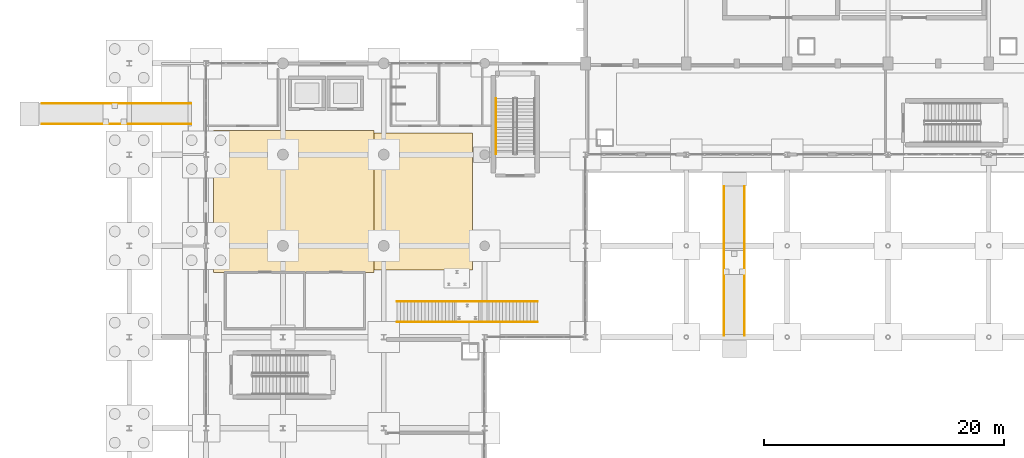
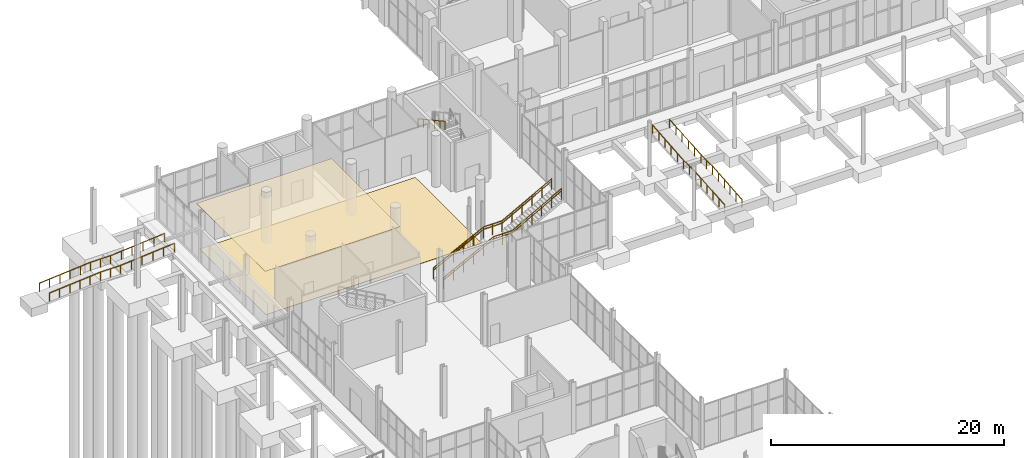
# One storey, part 85 of 95: 9 railings, 2 coverings.
"""IFC4 building model written with IfcOpenShell, lengths in metres."""

import ifcopenshell
import ifcopenshell.guid

model = None  # the IFC model being written
_history = None  # IfcOwnerHistory: only IFC2X3 demands one
_inside = {}  # id of a spatial element -> (the spatial element, [elements in it])
_under = {}  # id of a project, library or spatial element -> (it, [spatial elements below it])
_declared = {}  # id of a project -> (the project, [libraries it declares])
_typed = {}  # id of a type object -> (the type object, [elements of that type])
_made_of = {}  # id of a material, layer set ... -> (it, [elements and type objects made of it])


def new_model(schema):
    """Start an empty IFC model of exactly this schema.

    Asked for "IFC4X3", IfcOpenShell would pick the latest addendum, in which some entities
    have other attributes; the version numbers below select the first issue.
    IFC2X3 requires an IfcOwnerHistory on every rooted entity: one is made here for all.
    """
    global model, _history
    if schema == "IFC4X3":
        model = ifcopenshell.file(schema_version=(4, 3, 0, 0))
    else:
        model = ifcopenshell.file(schema=schema)
    _inside.clear()
    _under.clear()
    _declared.clear()
    _typed.clear()
    _made_of.clear()
    _history = None
    if model.schema == "IFC2X3":
        org = make("IfcOrganization", Name="unknown")
        user = make(
            "IfcPersonAndOrganization",
            ThePerson=make("IfcPerson", FamilyName="unknown"),
            TheOrganization=org,
        )
        app = make(
            "IfcApplication",
            ApplicationDeveloper=org,
            Version="unknown",
            ApplicationFullName="unknown",
            ApplicationIdentifier="unknown",
        )
        _history = make(
            "IfcOwnerHistory",
            OwningUser=user,
            OwningApplication=app,
            ChangeAction="ADDED",
            CreationDate=0,
        )
    return model


def make(cls, **values):
    """One entity of the class cls with the attributes given. An attribute that is None is left unset."""
    return model.create_entity(
        cls, **{name: value for name, value in values.items() if value is not None}
    )


def rooted(cls, **values):
    """An entity with a GlobalId (a new one), such as an element, a storey or a relation."""
    return make(cls, GlobalId=ifcopenshell.guid.new(), OwnerHistory=_history, **values)


def si_unit(unit_type, name, prefix=None):
    """IfcSIUnit, for example si_unit("LENGTHUNIT", "METRE", prefix="MILLI")."""
    return make("IfcSIUnit", UnitType=unit_type, Prefix=prefix, Name=name)


def assignment(units):
    """IfcUnitAssignment: the units of a project."""
    return None if units is None else make("IfcUnitAssignment", Units=units)


def point(xyz):
    """IfcCartesianPoint."""
    return None if xyz is None else make("IfcCartesianPoint", Coordinates=xyz)


def direction(xyz):
    """IfcDirection."""
    return None if xyz is None else make("IfcDirection", DirectionRatios=xyz)


def frame(location, z_axis=None, x_axis=None):
    """IfcAxis2Placement3D, a coordinate frame: its origin and axes. An axis left out is left unset."""
    return make(
        "IfcAxis2Placement3D",
        Location=point(location),
        Axis=direction(z_axis),
        RefDirection=direction(x_axis),
    )


def frame_2d(location, x_axis=None):
    """IfcAxis2Placement2D, a coordinate frame in the plane: its origin and x axis."""
    return make(
        "IfcAxis2Placement2D", Location=point(location), RefDirection=direction(x_axis)
    )


def origin():
    """The frame at (0, 0, 0) with its axes left unset."""
    return frame((0.0, 0.0, 0.0))


def origin_2d():
    """The frame at (0, 0) in the plane with its x axis left unset."""
    return frame_2d((0.0, 0.0))


def place(relative_to, where):
    """IfcLocalPlacement: puts the frame where relative to a parent placement (None: the world)."""
    return make(
        "IfcLocalPlacement", PlacementRelTo=relative_to, RelativePlacement=where
    )


def context(
    kind, dimensions, precision=None, world=None, true_north=None, identifier=None
):
    """IfcGeometricRepresentationContext, for example the 3D "Model" context."""
    return make(
        "IfcGeometricRepresentationContext",
        ContextIdentifier=identifier,
        ContextType=kind,
        CoordinateSpaceDimension=dimensions,
        Precision=precision,
        WorldCoordinateSystem=world,
        TrueNorth=true_north,
    )


def subcontext(parent, identifier, kind, view, scale=None):
    """IfcGeometricRepresentationSubContext, for example "Body" below "Model"."""
    return make(
        "IfcGeometricRepresentationSubContext",
        ContextIdentifier=identifier,
        ContextType=kind,
        ParentContext=parent,
        TargetScale=scale,
        TargetView=view,
    )


def project(units=None, contexts=None):
    """IfcProject with its units and contexts."""
    return rooted(
        "IfcProject",
        Name="project",
        RepresentationContexts=contexts,
        UnitsInContext=assignment(units),
    )


def spatial(cls, under=None, at=None, **own):
    """A site, building, storey or space (cls), placed at a placement, below another one or the project."""
    s = rooted(cls, ObjectPlacement=at, **own)
    if under is not None:
        _under.setdefault(under.id(), (under, []))[1].append(s)
    return s


def polyline(points):
    """IfcPolyline through the points."""
    return make("IfcPolyline", Points=[point(p) for p in points])


def profile(cls, at=None, kind="AREA", **sizes):
    """A parametric profile (cls). Its sizes go by their IFC names, for example OverallWidth=200.0."""
    return make(cls, ProfileType=kind, Position=at, **sizes)


def circle(**sizes):
    """IfcCircleProfileDef."""
    return profile("IfcCircleProfileDef", **sizes)


def outline(outer, holes=None, kind="AREA"):
    """IfcArbitraryClosedProfileDef: a profile drawn as a closed curve; with holes, ...WithVoids."""
    if holes is None:
        return make("IfcArbitraryClosedProfileDef", ProfileType=kind, OuterCurve=outer)
    return make(
        "IfcArbitraryProfileDefWithVoids",
        ProfileType=kind,
        OuterCurve=outer,
        InnerCurves=holes,
    )


def extrude(swept, where, along, depth):
    """IfcExtrudedAreaSolid: the profile swept, set in the frame where, extruded along a direction by depth."""
    return make(
        "IfcExtrudedAreaSolid",
        SweptArea=swept,
        Position=where,
        ExtrudedDirection=direction(along),
        Depth=depth,
    )


def shape(context_of_items, identifier, shape_type, items):
    """IfcShapeRepresentation: the items that make up one representation, for example the "Body"."""
    return make(
        "IfcShapeRepresentation",
        ContextOfItems=context_of_items,
        RepresentationIdentifier=identifier,
        RepresentationType=shape_type,
        Items=items,
    )


def material(Name=None, Category=None):
    """IfcMaterial."""
    return make("IfcMaterial", Name=Name, Category=Category)


def layer(
    of_material, thickness, ventilated=None, Name=None, Category=None, Priority=None
):
    """IfcMaterialLayer: one layer of a wall or slab, of a material (None: an air gap)."""
    return make(
        "IfcMaterialLayer",
        Material=of_material,
        LayerThickness=thickness,
        IsVentilated=ventilated,
        Name=Name,
        Category=Category,
        Priority=Priority,
    )


def layer_set(layers, Name=None):
    """IfcMaterialLayerSet."""
    return make("IfcMaterialLayerSet", MaterialLayers=layers, LayerSetName=Name)


def made_of(thing, what):
    """Note that an element or type object is made of a material, layer set ...; save() writes the relation."""
    if what is not None:
        _made_of.setdefault(what.id(), (what, []))[1].append(thing)
    return thing


def type_object(cls, material=None, **own):
    """A type object (cls), such as IfcWallType, which elements share."""
    return made_of(rooted(cls, **own), material)


def element(
    cls,
    number,
    at=None,
    inside=None,
    cuts=None,
    type_object=None,
    material=None,
    context=None,
    identifier="Body",
    shape_type=None,
    held_by="IfcProductDefinitionShape",
    body=None,
    shapes=None,
    **own,
):
    """One element of the class cls, such as IfcWall. Its Tag is "e" and its number.

    at: its placement. inside: the storey or other place that contains it. cuts: it is an
    opening in that element (IfcRelVoidsElement). A single representation is given by context,
    identifier, shape_type and body (its items); several are given by shapes. held_by: the class
    of the entity that holds the representations. save() writes the other relations.
    """
    e = rooted(cls, Tag="e%d" % number, ObjectPlacement=at, **own)
    if body is not None:
        shapes = [shape(context, identifier, shape_type, body)]
    if shapes is not None:
        e.Representation = make(held_by, Representations=shapes)
    if inside is not None:
        _inside.setdefault(inside.id(), (inside, []))[1].append(e)
    if cuts is not None:
        rooted(
            "IfcRelVoidsElement", RelatingBuildingElement=cuts, RelatedOpeningElement=e
        )
    if type_object is not None:
        _typed.setdefault(type_object.id(), (type_object, []))[1].append(e)
    return made_of(e, material)


def aggregate(whole, parts):
    """IfcRelAggregates: a whole, such as a stair, and the parts it consists of."""
    return rooted("IfcRelAggregates", RelatingObject=whole, RelatedObjects=parts)


def save(model, path):
    """Write the relations noted so far, then the file.

    IfcRelAggregates (storeys below a building ...), IfcRelContainedInSpatialStructure (elements
    in a storey), IfcRelDefinesByType, IfcRelAssociatesMaterial and IfcRelDeclares: one each for
    every whole, place, type object, material and project.
    """
    for whole, parts in _under.values():
        aggregate(whole, parts)
    for where, things in _inside.values():
        rooted(
            "IfcRelContainedInSpatialStructure",
            RelatedElements=things,
            RelatingStructure=where,
        )
    for kind, things in _typed.values():
        rooted("IfcRelDefinesByType", RelatedObjects=things, RelatingType=kind)
    for what, things in _made_of.values():
        rooted("IfcRelAssociatesMaterial", RelatedObjects=things, RelatingMaterial=what)
    for by, libraries in _declared.values():
        rooted("IfcRelDeclares", RelatingContext=by, RelatedDefinitions=libraries)
    model.write(path)


model = new_model("IFC4")

# Units and contexts
model_context = context("Model", 3, precision=1e-05, world=origin(), true_north=direction((0.0, 1.0)))
body_context = subcontext(model_context, "Body", "Model", "MODEL_VIEW")
ifc_project = project(units=[si_unit("LENGTHUNIT", "METRE"), si_unit("AREAUNIT", "SQUARE_METRE"), si_unit("VOLUMEUNIT", "CUBIC_METRE"), si_unit("PLANEANGLEUNIT", "RADIAN"), si_unit("MASSUNIT", "GRAM", prefix="KILO")], contexts=[model_context])

# Site, building, storey
site_placement = place(None, origin())
site = spatial("IfcSite", under=ifc_project, at=site_placement, CompositionType="ELEMENT")
building_placement = place(site_placement, origin())
building = spatial("IfcBuilding", under=site, at=building_placement, Name="Shengluoqiao Park Theatre", CompositionType="ELEMENT")
storey_placement = place(building_placement, origin())
storey = spatial("IfcBuildingStorey", under=building, at=storey_placement, Name="L00", CompositionType="ELEMENT", Elevation=0.0)

# Railings
ifc_material_1 = material(Name="Stainless steel 316", Category="steel")
railing_type_1 = type_object("IfcRailingType", Name="ENV-RL-HR090", PredefinedType="HANDRAIL", material=ifc_material_1)
railing_1_placement = place(storey_placement, frame((-0.85009765625, 70.949951171875, -0.8701171875)))
element("IfcRailing", 1, at=railing_1_placement, inside=storey, type_object=railing_type_1, Name="RMP-01 Accessible Handrail", PredefinedType="HANDRAIL", context=body_context, shape_type="SweptSolid", body=[
    extrude(circle(Radius=0.02392578125, at=origin_2d()), frame((0.0, 0.0, 0.8759765625), z_axis=(0.99655671415, 0.0, 0.082913904039), x_axis=(0.0, 1.0, 0.0)), (0.0, 0.0, 1.0), 5.0673828125),
    extrude(circle(Radius=0.02392578125, at=origin_2d()), frame((5.050048828125, 0.0, 1.2958984375), z_axis=(1.0, 0.0, 0.0), x_axis=(0.0, 1.0, 0.0)), (0.0, 0.0, 1.0), 2.0),
    extrude(circle(Radius=0.02392578125, at=origin_2d()), frame((7.050048828125, 0.0, 1.2958984375), z_axis=(0.996482120558, 0.0, 0.083805628739), x_axis=(0.0, 1.0, 0.0)), (0.0, 0.0, 1.0), 5.368896484375),
    extrude(circle(Radius=0.02099609375, at=origin_2d()), origin(), (0.0, 0.0, 1.0), 0.851806640625),
    extrude(circle(Radius=0.02099609375, at=origin_2d()), frame((1.010009765625, 0.0, 0.083984375)), (0.0, 0.0, 1.0), 0.851806640625),
    extrude(circle(Radius=0.02099609375, at=origin_2d()), frame((2.02001953125, 0.0, 0.16796875)), (0.0, 0.0, 1.0), 0.851806640625),
    extrude(circle(Radius=0.02099609375, at=origin_2d()), frame((3.030029296875, 0.0, 0.252197265625)), (0.0, 0.0, 1.0), 0.851806640625),
    extrude(circle(Radius=0.02099609375, at=origin_2d()), frame((4.0400390625, 0.0, 0.336181640625)), (0.0, 0.0, 1.0), 0.851806640625),
    extrude(circle(Radius=0.02099609375, at=origin_2d()), frame((5.050048828125, 0.0, 0.420166015625)), (0.0, 0.0, 1.0), 0.851806640625),
    extrude(circle(Radius=0.02099609375, at=origin_2d()), frame((6.050048828125, 0.0, 0.420166015625)), (0.0, 0.0, 1.0), 0.851806640625),
    extrude(circle(Radius=0.02099609375, at=origin_2d()), frame((7.050048828125, 0.0, 0.420166015625)), (0.0, 0.0, 1.0), 0.851806640625),
    extrude(circle(Radius=0.02099609375, at=origin_2d()), frame((8.1201171875, 0.0, 0.51025390625)), (0.0, 0.0, 1.0), 0.851806640625),
    extrude(circle(Radius=0.02099609375, at=origin_2d()), frame((9.190185546875, 0.0, 0.60009765625)), (0.0, 0.0, 1.0), 0.851806640625),
    extrude(circle(Radius=0.02099609375, at=origin_2d()), frame((10.260009765625, 0.0, 0.690185546875)), (0.0, 0.0, 1.0), 0.851806640625),
    extrude(circle(Radius=0.02099609375, at=origin_2d()), frame((11.330078125, 0.0, 0.780029296875)), (0.0, 0.0, 1.0), 0.851806640625),
    extrude(circle(Radius=0.02099609375, at=origin_2d()), frame((12.400146484375, 0.0, 0.8701171875)), (0.0, 0.0, 1.0), 0.851806640625),
])
railing_2_placement = place(storey_placement, frame((-0.85009765625, 72.64990234375, -0.8701171875)))
element("IfcRailing", 2, at=railing_2_placement, inside=storey, type_object=railing_type_1, Name="RMP-01 Accessible Handrail", PredefinedType="HANDRAIL", context=body_context, shape_type="SweptSolid", body=[
    extrude(circle(Radius=0.02392578125, at=origin_2d()), frame((0.0, 0.0, 0.8759765625), z_axis=(0.99655671415, 0.0, 0.082913904039), x_axis=(0.0, 1.0, 0.0)), (0.0, 0.0, 1.0), 5.0673828125),
    extrude(circle(Radius=0.02392578125, at=origin_2d()), frame((5.050048828125, 0.0, 1.2958984375), z_axis=(1.0, 0.0, 0.0), x_axis=(0.0, 1.0, 0.0)), (0.0, 0.0, 1.0), 2.0),
    extrude(circle(Radius=0.02392578125, at=origin_2d()), frame((7.050048828125, 0.0, 1.2958984375), z_axis=(0.996482120558, 0.0, 0.083805628739), x_axis=(0.0, 1.0, 0.0)), (0.0, 0.0, 1.0), 5.368896484375),
    extrude(circle(Radius=0.02099609375, at=origin_2d()), origin(), (0.0, 0.0, 1.0), 0.851806640625),
    extrude(circle(Radius=0.02099609375, at=origin_2d()), frame((1.010009765625, 0.0, 0.083984375)), (0.0, 0.0, 1.0), 0.851806640625),
    extrude(circle(Radius=0.02099609375, at=origin_2d()), frame((2.02001953125, 0.0, 0.16796875)), (0.0, 0.0, 1.0), 0.851806640625),
    extrude(circle(Radius=0.02099609375, at=origin_2d()), frame((3.030029296875, 0.0, 0.252197265625)), (0.0, 0.0, 1.0), 0.851806640625),
    extrude(circle(Radius=0.02099609375, at=origin_2d()), frame((4.0400390625, 0.0, 0.336181640625)), (0.0, 0.0, 1.0), 0.851806640625),
    extrude(circle(Radius=0.02099609375, at=origin_2d()), frame((5.050048828125, 0.0, 0.420166015625)), (0.0, 0.0, 1.0), 0.851806640625),
    extrude(circle(Radius=0.02099609375, at=origin_2d()), frame((6.050048828125, 0.0, 0.420166015625)), (0.0, 0.0, 1.0), 0.851806640625),
    extrude(circle(Radius=0.02099609375, at=origin_2d()), frame((7.050048828125, 0.0, 0.420166015625)), (0.0, 0.0, 1.0), 0.851806640625),
    extrude(circle(Radius=0.02099609375, at=origin_2d()), frame((8.1201171875, 0.0, 0.51025390625)), (0.0, 0.0, 1.0), 0.851806640625),
    extrude(circle(Radius=0.02099609375, at=origin_2d()), frame((9.190185546875, 0.0, 0.60009765625)), (0.0, 0.0, 1.0), 0.851806640625),
    extrude(circle(Radius=0.02099609375, at=origin_2d()), frame((10.260009765625, 0.0, 0.690185546875)), (0.0, 0.0, 1.0), 0.851806640625),
    extrude(circle(Radius=0.02099609375, at=origin_2d()), frame((11.330078125, 0.0, 0.780029296875)), (0.0, 0.0, 1.0), 0.851806640625),
    extrude(circle(Radius=0.02099609375, at=origin_2d()), frame((12.400146484375, 0.0, 0.8701171875)), (0.0, 0.0, 1.0), 0.851806640625),
])
railing_3_placement = place(storey_placement, frame((55.949951171875, 53.35009765625, -0.8701171875)))
element("IfcRailing", 3, at=railing_3_placement, inside=storey, type_object=railing_type_1, Name="RMP-03 Accessible Handrail", PredefinedType="HANDRAIL", context=body_context, shape_type="SweptSolid", body=[
    extrude(circle(Radius=0.02392578125, at=origin_2d()), frame((0.0, 0.0, 0.8759765625), z_axis=(0.0, 0.996556382918, 0.08291788508), x_axis=(-1.0, 0.0, 0.0)), (0.0, 0.0, 1.0), 5.067138671875),
    extrude(circle(Radius=0.02392578125, at=origin_2d()), frame((0.0, 5.0498046875, 1.2958984375), z_axis=(0.0, 1.0, 0.0), x_axis=(-1.0, 0.0, 0.0)), (0.0, 0.0, 1.0), 2.0),
    extrude(circle(Radius=0.02392578125, at=origin_2d()), frame((0.0, 7.0498046875, 1.2958984375), z_axis=(0.0, 0.996482120558, 0.083805628739), x_axis=(-1.0, 0.0, 0.0)), (0.0, 0.0, 1.0), 5.368896484375),
    extrude(circle(Radius=0.02099609375, at=origin_2d()), origin(), (0.0, 0.0, 1.0), 0.851806640625),
    extrude(circle(Radius=0.02099609375, at=origin_2d()), frame((0.0, 1.010009765625, 0.083984375)), (0.0, 0.0, 1.0), 0.851806640625),
    extrude(circle(Radius=0.02099609375, at=origin_2d()), frame((0.0, 2.02001953125, 0.16796875)), (0.0, 0.0, 1.0), 0.851806640625),
    extrude(circle(Radius=0.02099609375, at=origin_2d()), frame((0.0, 3.02978515625, 0.252197265625)), (0.0, 0.0, 1.0), 0.851806640625),
    extrude(circle(Radius=0.02099609375, at=origin_2d()), frame((0.0, 4.039794921875, 0.336181640625)), (0.0, 0.0, 1.0), 0.851806640625),
    extrude(circle(Radius=0.02099609375, at=origin_2d()), frame((0.0, 5.0498046875, 0.420166015625)), (0.0, 0.0, 1.0), 0.851806640625),
    extrude(circle(Radius=0.02099609375, at=origin_2d()), frame((0.0, 6.0498046875, 0.420166015625)), (0.0, 0.0, 1.0), 0.851806640625),
    extrude(circle(Radius=0.02099609375, at=origin_2d()), frame((0.0, 7.0498046875, 0.420166015625)), (0.0, 0.0, 1.0), 0.851806640625),
    extrude(circle(Radius=0.02099609375, at=origin_2d()), frame((0.0, 8.119873046875, 0.51025390625)), (0.0, 0.0, 1.0), 0.851806640625),
    extrude(circle(Radius=0.02099609375, at=origin_2d()), frame((0.0, 9.18994140625, 0.60009765625)), (0.0, 0.0, 1.0), 0.851806640625),
    extrude(circle(Radius=0.02099609375, at=origin_2d()), frame((0.0, 10.259765625, 0.690185546875)), (0.0, 0.0, 1.0), 0.851806640625),
    extrude(circle(Radius=0.02099609375, at=origin_2d()), frame((0.0, 11.329833984375, 0.780029296875)), (0.0, 0.0, 1.0), 0.851806640625),
    extrude(circle(Radius=0.02099609375, at=origin_2d()), frame((0.0, 12.39990234375, 0.8701171875)), (0.0, 0.0, 1.0), 0.851806640625),
])
railing_4_placement = place(storey_placement, frame((57.64990234375, 53.35009765625, -0.8701171875)))
element("IfcRailing", 4, at=railing_4_placement, inside=storey, type_object=railing_type_1, Name="RMP-03 Accessible Handrail", PredefinedType="HANDRAIL", context=body_context, shape_type="SweptSolid", body=[
    extrude(circle(Radius=0.02392578125, at=origin_2d()), frame((0.0, 0.0, 0.8759765625), z_axis=(0.0, 0.996556382918, 0.08291788508), x_axis=(-1.0, 0.0, 0.0)), (0.0, 0.0, 1.0), 5.067138671875),
    extrude(circle(Radius=0.02392578125, at=origin_2d()), frame((0.0, 5.0498046875, 1.2958984375), z_axis=(0.0, 1.0, 0.0), x_axis=(-1.0, 0.0, 0.0)), (0.0, 0.0, 1.0), 2.0),
    extrude(circle(Radius=0.02392578125, at=origin_2d()), frame((0.0, 7.0498046875, 1.2958984375), z_axis=(0.0, 0.996482120558, 0.083805628739), x_axis=(-1.0, 0.0, 0.0)), (0.0, 0.0, 1.0), 5.368896484375),
    extrude(circle(Radius=0.02099609375, at=origin_2d()), origin(), (0.0, 0.0, 1.0), 0.851806640625),
    extrude(circle(Radius=0.02099609375, at=origin_2d()), frame((0.0, 1.010009765625, 0.083984375)), (0.0, 0.0, 1.0), 0.851806640625),
    extrude(circle(Radius=0.02099609375, at=origin_2d()), frame((0.0, 2.02001953125, 0.16796875)), (0.0, 0.0, 1.0), 0.851806640625),
    extrude(circle(Radius=0.02099609375, at=origin_2d()), frame((0.0, 3.02978515625, 0.252197265625)), (0.0, 0.0, 1.0), 0.851806640625),
    extrude(circle(Radius=0.02099609375, at=origin_2d()), frame((0.0, 4.039794921875, 0.336181640625)), (0.0, 0.0, 1.0), 0.851806640625),
    extrude(circle(Radius=0.02099609375, at=origin_2d()), frame((0.0, 5.0498046875, 0.420166015625)), (0.0, 0.0, 1.0), 0.851806640625),
    extrude(circle(Radius=0.02099609375, at=origin_2d()), frame((0.0, 6.0498046875, 0.420166015625)), (0.0, 0.0, 1.0), 0.851806640625),
    extrude(circle(Radius=0.02099609375, at=origin_2d()), frame((0.0, 7.0498046875, 0.420166015625)), (0.0, 0.0, 1.0), 0.851806640625),
    extrude(circle(Radius=0.02099609375, at=origin_2d()), frame((0.0, 8.119873046875, 0.51025390625)), (0.0, 0.0, 1.0), 0.851806640625),
    extrude(circle(Radius=0.02099609375, at=origin_2d()), frame((0.0, 9.18994140625, 0.60009765625)), (0.0, 0.0, 1.0), 0.851806640625),
    extrude(circle(Radius=0.02099609375, at=origin_2d()), frame((0.0, 10.259765625, 0.690185546875)), (0.0, 0.0, 1.0), 0.851806640625),
    extrude(circle(Radius=0.02099609375, at=origin_2d()), frame((0.0, 11.329833984375, 0.780029296875)), (0.0, 0.0, 1.0), 0.851806640625),
    extrude(circle(Radius=0.02099609375, at=origin_2d()), frame((0.0, 12.39990234375, 0.8701171875)), (0.0, 0.0, 1.0), 0.851806640625),
])

# Coverings
ifc_material_2 = material(Name="Mineral fibre acoustic tile")
ifc_layer_1 = layer(ifc_material_2, 0.02490234375, Name="Mineral fibre acoustic tile")
ifc_layer_set_1 = layer_set([ifc_layer_1], Name="Mineral fibre acoustic tile")
covering_type_1 = type_object("IfcCoveringType", Name="INT-COV-CLG3", PredefinedType="CEILING", material=ifc_layer_set_1)
covering_1_placement = place(storey_placement, frame((0.0, 0.0, 4.735107421875)))
element("IfcCovering", 5, at=covering_1_placement, inside=storey, type_object=covering_type_1, Name="Main Foyer Acoustic Ceiling", PredefinedType="CEILING", context=body_context, shape_type="SweptSolid", body=[
    extrude(outline(polyline([(13.39990234375, 58.60009765625), (26.800048828125, 58.60009765625), (26.800048828125, 70.39990234375), (13.39990234375, 70.39990234375), (13.39990234375, 58.60009765625)])), origin(), (0.0, 0.0, 1.0), 0.02490234375),
])
ifc_material_3 = material(Name="Honed terrazzo stone", Category="masonry")
ifc_layer_2 = layer(ifc_material_3, 0.030029296875, Name="Honed terrazzo stone")
ifc_layer_set_2 = layer_set([ifc_layer_2], Name="Honed terrazzo stone")
covering_type_2 = type_object("IfcCoveringType", Name="INT-COV-FLR3", PredefinedType="FLOORING", material=ifc_layer_set_2)
covering_2_placement = place(storey_placement, origin())
element("IfcCovering", 6, at=covering_2_placement, inside=storey, type_object=covering_type_2, Name="Main Foyer Honed Terrazzo Flooring", PredefinedType="FLOORING", context=body_context, shape_type="SweptSolid", body=[
    extrude(outline(polyline([(13.60009765625, 58.800048828125), (35.0, 58.800048828125), (35.0, 70.199951171875), (13.60009765625, 70.199951171875), (13.60009765625, 58.800048828125)])), origin(), (0.0, 0.0, 1.0), 0.030029296875),
])

# Railings
ifc_material_4 = material(Name="Tempered laminated glass", Category="glass")
railing_type_2 = type_object("IfcRailingType", Name="INT-RL-BAL115", PredefinedType="BALUSTRADE", material=ifc_material_4)
railing_5_placement = place(storey_placement, frame((28.699951171875, 54.449951171875, 0.14990234375)))
element("IfcRailing", 7, at=railing_5_placement, inside=storey, type_object=railing_type_2, Name="Main Foyer Feature Stair 07 Glass Balustrade S", PredefinedType="BALUSTRADE", context=body_context, shape_type="SweptSolid", body=[
    extrude(circle(Radius=0.02392578125, at=origin_2d()), frame((0.0, 0.0, 1.1259765625), z_axis=(0.888211453661, 0.0, 0.459434885034), x_axis=(0.0, 1.0, 0.0)), (0.0, 0.0, 1.0), 5.55029296875),
    extrude(circle(Radius=0.02392578125, at=origin_2d()), frame((4.929931640625, 0.0, 3.67578125), z_axis=(1.0, 0.0, 0.0), x_axis=(0.0, 1.0, 0.0)), (0.0, 0.0, 1.0), 1.85009765625),
    extrude(circle(Radius=0.02392578125, at=origin_2d()), frame((6.780029296875, 0.0, 3.67578125), z_axis=(0.877079276001, 0.0, 0.480345650141), x_axis=(0.0, 1.0, 0.0)), (0.0, 0.0, 1.0), 5.620849609375),
    extrude(circle(Radius=0.02099609375, at=origin_2d()), origin(), (0.0, 0.0, 1.0), 1.101806640625),
    extrude(circle(Radius=0.02099609375, at=origin_2d()), frame((0.986083984375, 0.0, 0.510009765625)), (0.0, 0.0, 1.0), 1.101806640625),
    extrude(circle(Radius=0.02099609375, at=origin_2d()), frame((1.971923828125, 0.0, 1.02001953125)), (0.0, 0.0, 1.0), 1.101806640625),
    extrude(circle(Radius=0.02099609375, at=origin_2d()), frame((2.9580078125, 0.0, 1.530029296875)), (0.0, 0.0, 1.0), 1.101806640625),
    extrude(circle(Radius=0.02099609375, at=origin_2d()), frame((3.94384765625, 0.0, 2.0400390625)), (0.0, 0.0, 1.0), 1.101806640625),
    extrude(circle(Radius=0.02099609375, at=origin_2d()), frame((4.929931640625, 0.0, 2.550048828125)), (0.0, 0.0, 1.0), 1.101806640625),
    extrude(circle(Radius=0.02099609375, at=origin_2d()), frame((5.85498046875, 0.0, 2.550048828125)), (0.0, 0.0, 1.0), 1.101806640625),
    extrude(circle(Radius=0.02099609375, at=origin_2d()), frame((6.780029296875, 0.0, 2.550048828125)), (0.0, 0.0, 1.0), 1.101806640625),
    extrude(circle(Radius=0.02099609375, at=origin_2d()), frame((7.76611328125, 0.0, 3.090087890625)), (0.0, 0.0, 1.0), 1.101806640625),
    extrude(circle(Radius=0.02099609375, at=origin_2d()), frame((8.751953125, 0.0, 3.630126953125)), (0.0, 0.0, 1.0), 1.101806640625),
    extrude(circle(Radius=0.02099609375, at=origin_2d()), frame((9.738037109375, 0.0, 4.169921875)), (0.0, 0.0, 1.0), 1.101806640625),
    extrude(circle(Radius=0.02099609375, at=origin_2d()), frame((10.723876953125, 0.0, 4.7099609375)), (0.0, 0.0, 1.0), 1.101806640625),
    extrude(circle(Radius=0.02099609375, at=origin_2d()), frame((11.7099609375, 0.0, 5.25)), (0.0, 0.0, 1.0), 1.101806640625),
])
railing_6_placement = place(storey_placement, frame((28.699951171875, 56.14990234375, 0.14990234375)))
element("IfcRailing", 8, at=railing_6_placement, inside=storey, type_object=railing_type_2, Name="Main Foyer Feature Stair 07 Glass Balustrade N", PredefinedType="BALUSTRADE", context=body_context, shape_type="SweptSolid", body=[
    extrude(circle(Radius=0.02392578125, at=origin_2d()), frame((0.0, 0.0, 1.1259765625), z_axis=(0.888211453661, 0.0, 0.459434885034), x_axis=(0.0, 1.0, 0.0)), (0.0, 0.0, 1.0), 5.55029296875),
    extrude(circle(Radius=0.02392578125, at=origin_2d()), frame((4.929931640625, 0.0, 3.67578125), z_axis=(1.0, 0.0, 0.0), x_axis=(0.0, 1.0, 0.0)), (0.0, 0.0, 1.0), 1.85009765625),
    extrude(circle(Radius=0.02392578125, at=origin_2d()), frame((6.780029296875, 0.0, 3.67578125), z_axis=(0.877079276001, 0.0, 0.480345650141), x_axis=(0.0, 1.0, 0.0)), (0.0, 0.0, 1.0), 5.620849609375),
    extrude(circle(Radius=0.02099609375, at=origin_2d()), origin(), (0.0, 0.0, 1.0), 1.101806640625),
    extrude(circle(Radius=0.02099609375, at=origin_2d()), frame((0.986083984375, 0.0, 0.510009765625)), (0.0, 0.0, 1.0), 1.101806640625),
    extrude(circle(Radius=0.02099609375, at=origin_2d()), frame((1.971923828125, 0.0, 1.02001953125)), (0.0, 0.0, 1.0), 1.101806640625),
    extrude(circle(Radius=0.02099609375, at=origin_2d()), frame((2.9580078125, 0.0, 1.530029296875)), (0.0, 0.0, 1.0), 1.101806640625),
    extrude(circle(Radius=0.02099609375, at=origin_2d()), frame((3.94384765625, 0.0, 2.0400390625)), (0.0, 0.0, 1.0), 1.101806640625),
    extrude(circle(Radius=0.02099609375, at=origin_2d()), frame((4.929931640625, 0.0, 2.550048828125)), (0.0, 0.0, 1.0), 1.101806640625),
    extrude(circle(Radius=0.02099609375, at=origin_2d()), frame((5.85498046875, 0.0, 2.550048828125)), (0.0, 0.0, 1.0), 1.101806640625),
    extrude(circle(Radius=0.02099609375, at=origin_2d()), frame((6.780029296875, 0.0, 2.550048828125)), (0.0, 0.0, 1.0), 1.101806640625),
    extrude(circle(Radius=0.02099609375, at=origin_2d()), frame((7.76611328125, 0.0, 3.090087890625)), (0.0, 0.0, 1.0), 1.101806640625),
    extrude(circle(Radius=0.02099609375, at=origin_2d()), frame((8.751953125, 0.0, 3.630126953125)), (0.0, 0.0, 1.0), 1.101806640625),
    extrude(circle(Radius=0.02099609375, at=origin_2d()), frame((9.738037109375, 0.0, 4.169921875)), (0.0, 0.0, 1.0), 1.101806640625),
    extrude(circle(Radius=0.02099609375, at=origin_2d()), frame((10.723876953125, 0.0, 4.7099609375)), (0.0, 0.0, 1.0), 1.101806640625),
    extrude(circle(Radius=0.02099609375, at=origin_2d()), frame((11.7099609375, 0.0, 5.25)), (0.0, 0.0, 1.0), 1.101806640625),
])
ifc_material_5 = material(Name="Stainless steel 304", Category="steel")
railing_type_3 = type_object("IfcRailingType", Name="INT-RL-STHR", PredefinedType="HANDRAIL", material=ifc_material_5)
railing_7_placement = place(storey_placement, frame((36.949951171875, 73.090087890625, 2.85888671875)))
element("IfcRailing", 9, at=railing_7_placement, inside=storey, type_object=railing_type_3, Name="L00 ST-01 stair handrail 2", PredefinedType="HANDRAIL", context=body_context, shape_type="SweptSolid", body=[
    extrude(circle(Radius=0.02392578125, at=origin_2d()), frame((0.0, 0.0, 0.8759765625), z_axis=(0.0, -0.877097193626, 0.480312932298), x_axis=(1.0, 0.0, 0.0)), (0.0, 0.0, 1.0), 5.290283203125),
    extrude(circle(Radius=0.02099609375, at=origin_2d()), origin(), (0.0, 0.0, 1.0), 0.851806640625),
    extrude(circle(Radius=0.02099609375, at=origin_2d()), frame((0.0, -0.927978515625, 0.50830078125)), (0.0, 0.0, 1.0), 0.851806640625),
    extrude(circle(Radius=0.02099609375, at=origin_2d()), frame((0.0, -1.85595703125, 1.016357421875)), (0.0, 0.0, 1.0), 0.851806640625),
    extrude(circle(Radius=0.02099609375, at=origin_2d()), frame((0.0, -2.7841796875, 1.524658203125)), (0.0, 0.0, 1.0), 0.851806640625),
    extrude(circle(Radius=0.02099609375, at=origin_2d()), frame((0.0, -3.712158203125, 2.03271484375)), (0.0, 0.0, 1.0), 0.851806640625),
    extrude(circle(Radius=0.02099609375, at=origin_2d()), frame((0.0, -4.64013671875, 2.541015625)), (0.0, 0.0, 1.0), 0.851806640625),
])
railing_8_placement = place(storey_placement, frame((28.699951171875, 54.449951171875, 0.14990234375)))
element("IfcRailing", 10, at=railing_8_placement, inside=storey, type_object=railing_type_3, Name="Main Foyer Feature Stair 07 Handrail S", PredefinedType="HANDRAIL", context=body_context, shape_type="SweptSolid", body=[
    extrude(circle(Radius=0.02392578125, at=origin_2d()), frame((0.0, 0.0, 0.8759765625), z_axis=(0.888211453661, 0.0, 0.459434885034), x_axis=(0.0, 1.0, 0.0)), (0.0, 0.0, 1.0), 5.55029296875),
    extrude(circle(Radius=0.02392578125, at=origin_2d()), frame((4.929931640625, 0.0, 3.42578125), z_axis=(1.0, 0.0, 0.0), x_axis=(0.0, 1.0, 0.0)), (0.0, 0.0, 1.0), 1.85009765625),
    extrude(circle(Radius=0.02392578125, at=origin_2d()), frame((6.780029296875, 0.0, 3.42578125), z_axis=(0.877079276001, 0.0, 0.480345650141), x_axis=(0.0, 1.0, 0.0)), (0.0, 0.0, 1.0), 5.620849609375),
    extrude(circle(Radius=0.02099609375, at=origin_2d()), origin(), (0.0, 0.0, 1.0), 0.851806640625),
    extrude(circle(Radius=0.02099609375, at=origin_2d()), frame((0.986083984375, 0.0, 0.510009765625)), (0.0, 0.0, 1.0), 0.851806640625),
    extrude(circle(Radius=0.02099609375, at=origin_2d()), frame((1.971923828125, 0.0, 1.02001953125)), (0.0, 0.0, 1.0), 0.851806640625),
    extrude(circle(Radius=0.02099609375, at=origin_2d()), frame((2.9580078125, 0.0, 1.530029296875)), (0.0, 0.0, 1.0), 0.851806640625),
    extrude(circle(Radius=0.02099609375, at=origin_2d()), frame((3.94384765625, 0.0, 2.0400390625)), (0.0, 0.0, 1.0), 0.851806640625),
    extrude(circle(Radius=0.02099609375, at=origin_2d()), frame((4.929931640625, 0.0, 2.550048828125)), (0.0, 0.0, 1.0), 0.851806640625),
    extrude(circle(Radius=0.02099609375, at=origin_2d()), frame((5.85498046875, 0.0, 2.550048828125)), (0.0, 0.0, 1.0), 0.851806640625),
    extrude(circle(Radius=0.02099609375, at=origin_2d()), frame((6.780029296875, 0.0, 2.550048828125)), (0.0, 0.0, 1.0), 0.851806640625),
    extrude(circle(Radius=0.02099609375, at=origin_2d()), frame((7.76611328125, 0.0, 3.090087890625)), (0.0, 0.0, 1.0), 0.851806640625),
    extrude(circle(Radius=0.02099609375, at=origin_2d()), frame((8.751953125, 0.0, 3.630126953125)), (0.0, 0.0, 1.0), 0.851806640625),
    extrude(circle(Radius=0.02099609375, at=origin_2d()), frame((9.738037109375, 0.0, 4.169921875)), (0.0, 0.0, 1.0), 0.851806640625),
    extrude(circle(Radius=0.02099609375, at=origin_2d()), frame((10.723876953125, 0.0, 4.7099609375)), (0.0, 0.0, 1.0), 0.851806640625),
    extrude(circle(Radius=0.02099609375, at=origin_2d()), frame((11.7099609375, 0.0, 5.25)), (0.0, 0.0, 1.0), 0.851806640625),
])
railing_9_placement = place(storey_placement, frame((28.699951171875, 56.14990234375, 0.14990234375)))
element("IfcRailing", 11, at=railing_9_placement, inside=storey, type_object=railing_type_3, Name="Main Foyer Feature Stair 07 Handrail N", PredefinedType="HANDRAIL", context=body_context, shape_type="SweptSolid", body=[
    extrude(circle(Radius=0.02392578125, at=origin_2d()), frame((0.0, 0.0, 0.8759765625), z_axis=(0.888211453661, 0.0, 0.459434885034), x_axis=(0.0, 1.0, 0.0)), (0.0, 0.0, 1.0), 5.55029296875),
    extrude(circle(Radius=0.02392578125, at=origin_2d()), frame((4.929931640625, 0.0, 3.42578125), z_axis=(1.0, 0.0, 0.0), x_axis=(0.0, 1.0, 0.0)), (0.0, 0.0, 1.0), 1.85009765625),
    extrude(circle(Radius=0.02392578125, at=origin_2d()), frame((6.780029296875, 0.0, 3.42578125), z_axis=(0.877079276001, 0.0, 0.480345650141), x_axis=(0.0, 1.0, 0.0)), (0.0, 0.0, 1.0), 5.620849609375),
    extrude(circle(Radius=0.02099609375, at=origin_2d()), origin(), (0.0, 0.0, 1.0), 0.851806640625),
    extrude(circle(Radius=0.02099609375, at=origin_2d()), frame((0.986083984375, 0.0, 0.510009765625)), (0.0, 0.0, 1.0), 0.851806640625),
    extrude(circle(Radius=0.02099609375, at=origin_2d()), frame((1.971923828125, 0.0, 1.02001953125)), (0.0, 0.0, 1.0), 0.851806640625),
    extrude(circle(Radius=0.02099609375, at=origin_2d()), frame((2.9580078125, 0.0, 1.530029296875)), (0.0, 0.0, 1.0), 0.851806640625),
    extrude(circle(Radius=0.02099609375, at=origin_2d()), frame((3.94384765625, 0.0, 2.0400390625)), (0.0, 0.0, 1.0), 0.851806640625),
    extrude(circle(Radius=0.02099609375, at=origin_2d()), frame((4.929931640625, 0.0, 2.550048828125)), (0.0, 0.0, 1.0), 0.851806640625),
    extrude(circle(Radius=0.02099609375, at=origin_2d()), frame((5.85498046875, 0.0, 2.550048828125)), (0.0, 0.0, 1.0), 0.851806640625),
    extrude(circle(Radius=0.02099609375, at=origin_2d()), frame((6.780029296875, 0.0, 2.550048828125)), (0.0, 0.0, 1.0), 0.851806640625),
    extrude(circle(Radius=0.02099609375, at=origin_2d()), frame((7.76611328125, 0.0, 3.090087890625)), (0.0, 0.0, 1.0), 0.851806640625),
    extrude(circle(Radius=0.02099609375, at=origin_2d()), frame((8.751953125, 0.0, 3.630126953125)), (0.0, 0.0, 1.0), 0.851806640625),
    extrude(circle(Radius=0.02099609375, at=origin_2d()), frame((9.738037109375, 0.0, 4.169921875)), (0.0, 0.0, 1.0), 0.851806640625),
    extrude(circle(Radius=0.02099609375, at=origin_2d()), frame((10.723876953125, 0.0, 4.7099609375)), (0.0, 0.0, 1.0), 0.851806640625),
    extrude(circle(Radius=0.02099609375, at=origin_2d()), frame((11.7099609375, 0.0, 5.25)), (0.0, 0.0, 1.0), 0.851806640625),
])

save(model, "model.ifc")
